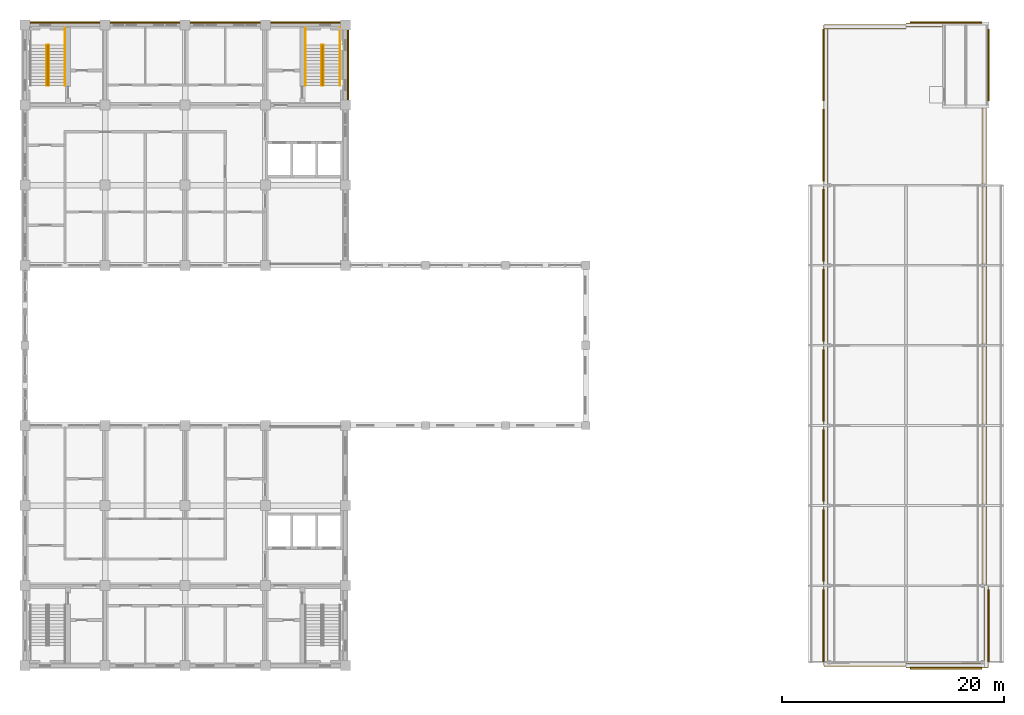
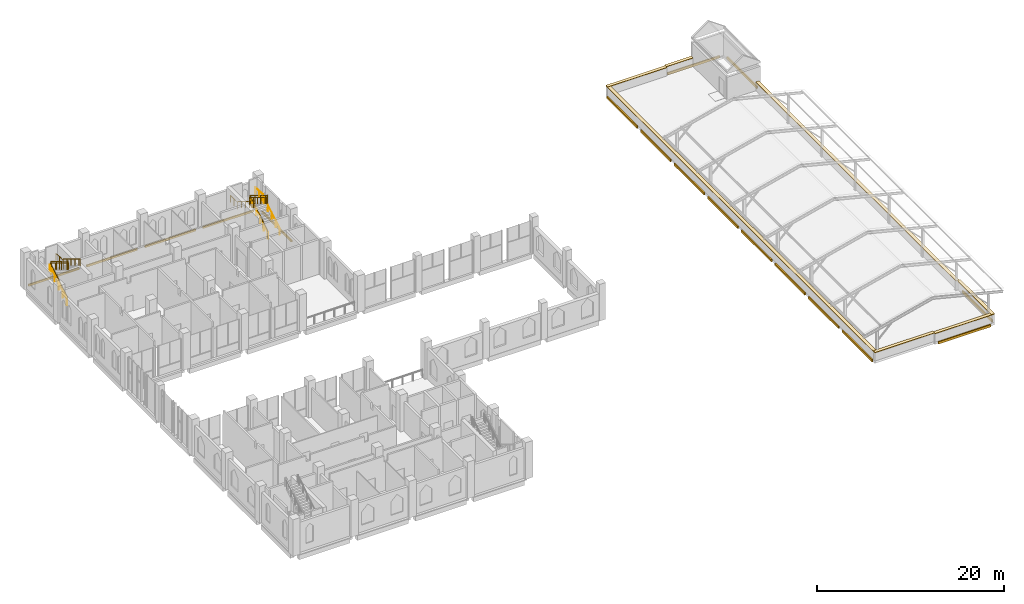
# One storey, part 30 of 30: 24 coverings, 9 railings.
"""IFC4 building model written with IfcOpenShell, lengths in metres."""

from ifc_helpers import new_model, si_unit, direction, frame, origin, origin_2d, place, context, subcontext, project, spatial, rectangle, circle, extrude, material, layer, layer_set, type_object, element, save


model = new_model("IFC4")

# Units and contexts
model_context = context("Model", 3, precision=1e-05, world=origin(), true_north=direction((0.0, 1.0)))
body_context = subcontext(model_context, "Body", "Model", "MODEL_VIEW")
ifc_project = project(units=[si_unit("LENGTHUNIT", "METRE"), si_unit("AREAUNIT", "SQUARE_METRE"), si_unit("VOLUMEUNIT", "CUBIC_METRE"), si_unit("PLANEANGLEUNIT", "RADIAN"), si_unit("MASSUNIT", "GRAM", prefix="KILO")], contexts=[model_context])

# Site, building, storey
site_placement = place(None, origin())
site = spatial("IfcSite", under=ifc_project, at=site_placement, CompositionType="ELEMENT")
building_placement = place(site_placement, origin())
building = spatial("IfcBuilding", under=site, at=building_placement, Name="Silangan Lancet Faculty of Sciences", CompositionType="ELEMENT")
storey_placement = place(building_placement, frame((0.0, 0.0, 31.199951171875)))
storey = spatial("IfcBuildingStorey", under=building, at=storey_placement, Name="L06", CompositionType="ELEMENT", Elevation=31.199951171875)

# Coverings
ifc_material_1 = material(Name="Concrete C35/45 precast", Category="concrete")
ifc_layer = layer(ifc_material_1, 0.06005859375)
ifc_layer_set = layer_set([ifc_layer], Name="Concrete C35/45 precast")
covering_type_1 = type_object("IfcCoveringType", Name="Parapet coping 400", PredefinedType="MOLDING", material=ifc_layer_set)
for number, where, z_axis, x_axis, name in (
    (1, (82.875, 0.0, 1.10009765625), (0.0, 0.0, 1.0), (1.0, 0.0, 0.0), "Parapet coping EB 1"),
    (2, (75.52490234375, 0.14990234375, 1.10009765625), (0.0, 0.0, 1.0), (1.0, 0.0, 0.0), "Parapet coping EB 2"),
):
    element("IfcCovering", number, at=place(storey_placement, frame(where, z_axis=z_axis, x_axis=x_axis)), inside=storey, type_object=covering_type_1, Name=name, PredefinedType="MOLDING", context=body_context, shape_type="SweptSolid", body=[
        extrude(rectangle(XDim=7.35009765625, YDim=0.39990234375, at=origin_2d()), origin(), (0.0, 0.0, 1.0), 0.06005859375),
    ])
covering_1_placement = place(storey_placement, frame((72.0, 28.800048828125, 1.10009765625), z_axis=(0.0, 0.0, 1.0), x_axis=(1.0, 0.0, 0.0)))
element("IfcCovering", 3, at=covering_1_placement, inside=storey, type_object=covering_type_1, Name="Parapet coping EB 3", PredefinedType="MOLDING", context=body_context, shape_type="SweptSolid", body=[
    extrude(rectangle(XDim=0.39990234375, YDim=57.60009765625, at=origin_2d()), origin(), (0.0, 0.0, 1.0), 0.06005859375),
])
covering_2_placement = place(storey_placement, frame((75.52490234375, 57.449951171875, 1.10009765625), z_axis=(0.0, 0.0, 1.0), x_axis=(1.0, 0.0, 0.0)))
element("IfcCovering", 4, at=covering_2_placement, inside=storey, type_object=covering_type_1, Name="Parapet coping EB 4", PredefinedType="MOLDING", context=body_context, shape_type="SweptSolid", body=[
    extrude(rectangle(XDim=7.35009765625, YDim=0.39990234375, at=origin_2d()), origin(), (0.0, 0.0, 1.0), 0.06005859375),
])
covering_3_placement = place(storey_placement, frame((80.85009765625, 57.60009765625, 1.10009765625), z_axis=(0.0, 0.0, 1.0), x_axis=(1.0, 0.0, 0.0)))
element("IfcCovering", 5, at=covering_3_placement, inside=storey, type_object=covering_type_1, Name="Parapet coping EB 5", PredefinedType="MOLDING", context=body_context, shape_type="SweptSolid", body=[
    extrude(rectangle(XDim=3.300048828125, YDim=0.39990234375, at=origin_2d()), origin(), (0.0, 0.0, 1.0), 0.06005859375),
])
covering_4_placement = place(storey_placement, frame((86.25, 28.675048828125, 1.10009765625), z_axis=(0.0, 0.0, 1.0), x_axis=(1.0, 0.0, 0.0)))
element("IfcCovering", 6, at=covering_4_placement, inside=storey, type_object=covering_type_1, Name="Parapet coping EB 6", PredefinedType="MOLDING", context=body_context, shape_type="SweptSolid", body=[
    extrude(rectangle(XDim=0.39990234375, YDim=42.949951171875, at=origin_2d()), origin(), (0.0, 0.0, 1.0), 0.06005859375),
])
covering_5_placement = place(storey_placement, frame((86.39990234375, 3.52490234375, 1.10009765625), z_axis=(0.0, 0.0, 1.0), x_axis=(1.0, 0.0, 0.0)))
element("IfcCovering", 7, at=covering_5_placement, inside=storey, type_object=covering_type_1, Name="Parapet coping EB 7", PredefinedType="MOLDING", context=body_context, shape_type="SweptSolid", body=[
    extrude(rectangle(XDim=0.39990234375, YDim=7.35009765625, at=origin_2d()), origin(), (0.0, 0.0, 1.0), 0.06005859375),
])
ifc_material_2 = material(Name="Concrete C40/50 precast", Category="concrete")
covering_type_2 = type_object("IfcCoveringType", Name="SC1 Precast string course 250 x 150", PredefinedType="CLADDING", material=ifc_material_2)
covering_6_placement = place(storey_placement, frame((29.02490234375, 54.0, -0.25), z_axis=(0.0, 0.0, 1.0), x_axis=(1.0, 0.0, 0.0)))
element("IfcCovering", 8, at=covering_6_placement, inside=storey, type_object=covering_type_2, Name="SC-L06-E-NT-02", PredefinedType="CLADDING", context=body_context, shape_type="SweptSolid", body=[
    extrude(rectangle(XDim=0.14990234375, YDim=6.300048828125, at=origin_2d()), origin(), (0.0, 0.0, 1.0), 0.25),
])
for number, where, z_axis, x_axis, name in (
    (9, (25.199951171875, 57.824951171875, -0.25), (0.0, 0.0, 1.0), (1.0, 0.0, 0.0), "SC-L06-N-NT-00"),
    (10, (18.0, 57.824951171875, -0.25), (0.0, 0.0, 1.0), (1.0, 0.0, 0.0), "SC-L06-N-NT-01"),
    (11, (10.800048828125, 57.824951171875, -0.25), (0.0, 0.0, 1.0), (1.0, 0.0, 0.0), "SC-L06-N-NT-02"),
    (12, (3.60009765625, 57.824951171875, -0.25), (0.0, 0.0, 1.0), (1.0, 0.0, 0.0), "SC-L06-N-NT-03"),
):
    element("IfcCovering", number, at=place(storey_placement, frame(where, z_axis=z_axis, x_axis=x_axis)), inside=storey, type_object=covering_type_2, Name=name, PredefinedType="CLADDING", context=body_context, shape_type="SweptSolid", body=[
        extrude(rectangle(XDim=6.300048828125, YDim=0.14990234375, at=origin_2d()), origin(), (0.0, 0.0, 1.0), 0.25),
    ])
ifc_material_3 = material(Name="Concrete C40/50 precast", Category="concrete")
covering_type_3 = type_object("IfcCoveringType", Name="SC2 Precast string course 300 x 150", PredefinedType="CLADDING", material=ifc_material_3)
for number, where, z_axis, x_axis, name in (
    (13, (86.625, 3.60009765625, -0.2998046875), (0.0, 0.0, 1.0), (1.0, 0.0, 0.0), "SC-ROOF-E-EB-00"),
    (14, (86.625, 54.0, -0.2998046875), (0.0, 0.0, 1.0), (1.0, 0.0, 0.0), "SC-ROOF-E-EB-07"),
):
    element("IfcCovering", number, at=place(storey_placement, frame(where, z_axis=z_axis, x_axis=x_axis)), inside=storey, type_object=covering_type_3, Name=name, PredefinedType="CLADDING", context=body_context, shape_type="SweptSolid", body=[
        extrude(rectangle(XDim=0.14990234375, YDim=6.449951171875, at=origin_2d()), origin(), (0.0, 0.0, 1.0), 0.300048828125),
    ])
for number, where, z_axis, x_axis, name in (
    (15, (82.800048828125, 57.824951171875, -0.2998046875), (0.0, 0.0, 1.0), (1.0, 0.0, 0.0), "SC-ROOF-N-EB-00"),
    (16, (82.800048828125, -0.22509765625, -0.2998046875), (0.0, 0.0, 1.0), (1.0, 0.0, 0.0), "SC-ROOF-S-EB-01"),
):
    element("IfcCovering", number, at=place(storey_placement, frame(where, z_axis=z_axis, x_axis=x_axis)), inside=storey, type_object=covering_type_3, Name=name, PredefinedType="CLADDING", context=body_context, shape_type="SweptSolid", body=[
        extrude(rectangle(XDim=6.449951171875, YDim=0.14990234375, at=origin_2d()), origin(), (0.0, 0.0, 1.0), 0.300048828125),
    ])
for number, where, z_axis, x_axis, name in (
    (17, (71.77490234375, 3.60009765625, -0.2998046875), (0.0, 0.0, 1.0), (1.0, 0.0, 0.0), "SC-ROOF-W-EB-00"),
    (18, (71.77490234375, 10.800048828125, -0.2998046875), (0.0, 0.0, 1.0), (1.0, 0.0, 0.0), "SC-ROOF-W-EB-01"),
    (19, (71.77490234375, 18.0, -0.2998046875), (0.0, 0.0, 1.0), (1.0, 0.0, 0.0), "SC-ROOF-W-EB-02"),
    (20, (71.77490234375, 25.199951171875, -0.2998046875), (0.0, 0.0, 1.0), (1.0, 0.0, 0.0), "SC-ROOF-W-EB-03"),
    (21, (71.77490234375, 32.39990234375, -0.2998046875), (0.0, 0.0, 1.0), (1.0, 0.0, 0.0), "SC-ROOF-W-EB-04"),
    (22, (71.77490234375, 39.60009765625, -0.2998046875), (0.0, 0.0, 1.0), (1.0, 0.0, 0.0), "SC-ROOF-W-EB-05"),
    (23, (71.77490234375, 46.800048828125, -0.2998046875), (0.0, 0.0, 1.0), (1.0, 0.0, 0.0), "SC-ROOF-W-EB-06"),
    (24, (71.77490234375, 54.0, -0.2998046875), (0.0, 0.0, 1.0), (1.0, 0.0, 0.0), "SC-ROOF-W-EB-07"),
):
    element("IfcCovering", number, at=place(storey_placement, frame(where, z_axis=z_axis, x_axis=x_axis)), inside=storey, type_object=covering_type_3, Name=name, PredefinedType="CLADDING", context=body_context, shape_type="SweptSolid", body=[
        extrude(rectangle(XDim=0.14990234375, YDim=6.449951171875, at=origin_2d()), origin(), (0.0, 0.0, 1.0), 0.300048828125),
    ])

# Railings
ifc_material_4 = material(Name="Steel balustrade", Category="steel")
railing_type_1 = type_object("IfcRailingType", Name="STAIR GUARD 1100", PredefinedType="GUARDRAIL", material=ifc_material_4)
railing_1_placement = place(storey_placement, frame((2.0, 52.14990234375, 0.17138671875)))
element("IfcRailing", 25, at=railing_1_placement, inside=storey, type_object=railing_type_1, Name="GUARD-NT-A-L06", PredefinedType="GUARDRAIL", context=body_context, shape_type="SweptSolid", body=[
    extrude(circle(Radius=0.02392578125, at=origin_2d()), frame((0.0, 0.0, 1.076171875), z_axis=(0.0, 0.852849614702, 0.52215661894), x_axis=(-1.0, 0.0, 0.0)), (0.0, 0.0, 1.0), 1.3134765625),
    extrude(circle(Radius=0.02392578125, at=origin_2d()), frame((0.0, 1.1201171875, 1.76171875), z_axis=(0.0, 0.852798921012, 0.522239409008), x_axis=(-1.0, 0.0, 0.0)), (0.0, 0.0, 1.0), 1.313232421875),
    extrude(circle(Radius=0.02392578125, at=origin_2d()), frame((0.0, 2.239990234375, 2.44775390625), z_axis=(0.0, 0.852849614702, 0.52215661894), x_axis=(-1.0, 0.0, 0.0)), (0.0, 0.0, 1.0), 1.3134765625),
    extrude(circle(Radius=0.02392578125, at=origin_2d()), frame((0.0, 3.360107421875, 3.13330078125), z_axis=(0.0, 0.852932391421, 0.522021393877), x_axis=(-1.0, 0.0, 0.0)), (0.0, 0.0, 1.0), 0.328369140625),
    extrude(circle(Radius=0.02392578125, at=origin_2d()), frame((0.0, 3.64013671875, 3.3046875), z_axis=(1.0, 0.0, 0.0), x_axis=(0.0, 1.0, 0.0)), (0.0, 0.0, 1.0), 0.10009765625),
    extrude(circle(Radius=0.02392578125, at=origin_2d()), frame((0.10009765625, 3.64013671875, 3.3046875), z_axis=(0.0, 0.0, 1.0), x_axis=(1.0, 0.0, 0.0)), (0.0, 0.0, 1.0), 0.17138671875),
    extrude(circle(Radius=0.02392578125, at=origin_2d()), frame((0.10009765625, 3.64013671875, 3.47607421875), z_axis=(0.0, -0.852932391421, 0.522021393877), x_axis=(1.0, 0.0, 0.0)), (0.0, 0.0, 1.0), 1.313232421875),
    extrude(circle(Radius=0.02392578125, at=origin_2d()), frame((0.10009765625, 2.52001953125, 4.16162109375), z_axis=(0.0, -0.852798921012, 0.522239409008), x_axis=(1.0, 0.0, 0.0)), (0.0, 0.0, 1.0), 1.313232421875),
    extrude(circle(Radius=0.02392578125, at=origin_2d()), frame((0.10009765625, 1.400146484375, 4.84765625), z_axis=(0.0, -0.852849614702, 0.52215661894), x_axis=(1.0, 0.0, 0.0)), (0.0, 0.0, 1.0), 1.3134765625),
    extrude(circle(Radius=0.02392578125, at=origin_2d()), frame((0.10009765625, 0.280029296875, 5.533203125), z_axis=(0.0, -0.852932391421, 0.522021393877), x_axis=(1.0, 0.0, 0.0)), (0.0, 0.0, 1.0), 0.328369140625),
    extrude(circle(Radius=0.02392578125, at=origin_2d()), frame((0.10009765625, 0.0, 5.70458984375), z_axis=(-1.0, 0.0, 0.0), x_axis=(0.0, -1.0, 0.0)), (0.0, 0.0, 1.0), 0.10009765625),
    extrude(circle(Radius=0.02099609375, at=origin_2d()), origin(), (0.0, 0.0, 1.0), 1.052001953125),
    extrude(circle(Radius=0.02099609375, at=origin_2d()), frame((0.0, 1.1201171875, 0.685791015625)), (0.0, 0.0, 1.0), 1.052001953125),
    extrude(circle(Radius=0.02099609375, at=origin_2d()), frame((0.0, 2.239990234375, 1.37158203125)), (0.0, 0.0, 1.0), 1.052001953125),
    extrude(circle(Radius=0.02099609375, at=origin_2d()), frame((0.0, 3.360107421875, 2.057373046875)), (0.0, 0.0, 1.0), 1.052001953125),
    extrude(circle(Radius=0.02099609375, at=origin_2d()), frame((0.0, 3.64013671875, 2.228759765625)), (0.0, 0.0, 1.0), 1.052001953125),
    extrude(circle(Radius=0.02099609375, at=origin_2d()), frame((0.10009765625, 3.64013671875, 2.228759765625)), (0.0, 0.0, 1.0), 1.052001953125),
    extrude(circle(Radius=0.02099609375, at=origin_2d()), frame((0.10009765625, 3.64013671875, 2.400146484375)), (0.0, 0.0, 1.0), 1.052001953125),
    extrude(circle(Radius=0.02099609375, at=origin_2d()), frame((0.10009765625, 2.52001953125, 3.085693359375)), (0.0, 0.0, 1.0), 1.052001953125),
    extrude(circle(Radius=0.02099609375, at=origin_2d()), frame((0.10009765625, 1.400146484375, 3.771484375)), (0.0, 0.0, 1.0), 1.052001953125),
    extrude(circle(Radius=0.02099609375, at=origin_2d()), frame((0.10009765625, 0.280029296875, 4.457275390625)), (0.0, 0.0, 1.0), 1.052001953125),
    extrude(circle(Radius=0.02099609375, at=origin_2d()), frame((0.10009765625, 0.0, 4.628662109375)), (0.0, 0.0, 1.0), 1.052001953125),
    extrude(circle(Radius=0.02099609375, at=origin_2d()), frame((0.0, 0.0, 4.628662109375)), (0.0, 0.0, 1.0), 1.052001953125),
])
railing_2_placement = place(storey_placement, frame((26.800048828125, 52.14990234375, 0.17138671875)))
element("IfcRailing", 26, at=railing_2_placement, inside=storey, type_object=railing_type_1, Name="GUARD-NT-B-L06", PredefinedType="GUARDRAIL", context=body_context, shape_type="SweptSolid", body=[
    extrude(circle(Radius=0.02392578125, at=origin_2d()), frame((0.0, 0.0, 1.076171875), z_axis=(0.0, 0.852849614702, 0.52215661894), x_axis=(-1.0, 0.0, 0.0)), (0.0, 0.0, 1.0), 1.3134765625),
    extrude(circle(Radius=0.02392578125, at=origin_2d()), frame((0.0, 1.1201171875, 1.76171875), z_axis=(0.0, 0.852798921012, 0.522239409008), x_axis=(-1.0, 0.0, 0.0)), (0.0, 0.0, 1.0), 1.313232421875),
    extrude(circle(Radius=0.02392578125, at=origin_2d()), frame((0.0, 2.239990234375, 2.44775390625), z_axis=(0.0, 0.852849614702, 0.52215661894), x_axis=(-1.0, 0.0, 0.0)), (0.0, 0.0, 1.0), 1.3134765625),
    extrude(circle(Radius=0.02392578125, at=origin_2d()), frame((0.0, 3.360107421875, 3.13330078125), z_axis=(0.0, 0.852932391421, 0.522021393877), x_axis=(-1.0, 0.0, 0.0)), (0.0, 0.0, 1.0), 0.328369140625),
    extrude(circle(Radius=0.02392578125, at=origin_2d()), frame((0.0, 3.64013671875, 3.3046875), z_axis=(-1.0, 0.0, 0.0), x_axis=(0.0, -1.0, 0.0)), (0.0, 0.0, 1.0), 0.10009765625),
    extrude(circle(Radius=0.02392578125, at=origin_2d()), frame((-0.10009765625, 3.64013671875, 3.3046875), z_axis=(0.0, 0.0, 1.0), x_axis=(1.0, 0.0, 0.0)), (0.0, 0.0, 1.0), 0.17138671875),
    extrude(circle(Radius=0.02392578125, at=origin_2d()), frame((-0.10009765625, 3.64013671875, 3.47607421875), z_axis=(0.0, -0.852932391421, 0.522021393877), x_axis=(1.0, 0.0, 0.0)), (0.0, 0.0, 1.0), 1.313232421875),
    extrude(circle(Radius=0.02392578125, at=origin_2d()), frame((-0.10009765625, 2.52001953125, 4.16162109375), z_axis=(0.0, -0.852798921012, 0.522239409008), x_axis=(1.0, 0.0, 0.0)), (0.0, 0.0, 1.0), 1.313232421875),
    extrude(circle(Radius=0.02392578125, at=origin_2d()), frame((-0.10009765625, 1.400146484375, 4.84765625), z_axis=(0.0, -0.852849614702, 0.52215661894), x_axis=(1.0, 0.0, 0.0)), (0.0, 0.0, 1.0), 1.3134765625),
    extrude(circle(Radius=0.02392578125, at=origin_2d()), frame((-0.10009765625, 0.280029296875, 5.533203125), z_axis=(0.0, -0.852932391421, 0.522021393877), x_axis=(1.0, 0.0, 0.0)), (0.0, 0.0, 1.0), 0.328369140625),
    extrude(circle(Radius=0.02392578125, at=origin_2d()), frame((-0.10009765625, 0.0, 5.70458984375), z_axis=(1.0, 0.0, 0.0), x_axis=(0.0, 1.0, 0.0)), (0.0, 0.0, 1.0), 0.10009765625),
    extrude(circle(Radius=0.02099609375, at=origin_2d()), origin(), (0.0, 0.0, 1.0), 1.052001953125),
    extrude(circle(Radius=0.02099609375, at=origin_2d()), frame((0.0, 1.1201171875, 0.685791015625)), (0.0, 0.0, 1.0), 1.052001953125),
    extrude(circle(Radius=0.02099609375, at=origin_2d()), frame((0.0, 2.239990234375, 1.37158203125)), (0.0, 0.0, 1.0), 1.052001953125),
    extrude(circle(Radius=0.02099609375, at=origin_2d()), frame((0.0, 3.360107421875, 2.057373046875)), (0.0, 0.0, 1.0), 1.052001953125),
    extrude(circle(Radius=0.02099609375, at=origin_2d()), frame((0.0, 3.64013671875, 2.228759765625)), (0.0, 0.0, 1.0), 1.052001953125),
    extrude(circle(Radius=0.02099609375, at=origin_2d()), frame((-0.10009765625, 3.64013671875, 2.228759765625)), (0.0, 0.0, 1.0), 1.052001953125),
    extrude(circle(Radius=0.02099609375, at=origin_2d()), frame((-0.10009765625, 3.64013671875, 2.400146484375)), (0.0, 0.0, 1.0), 1.052001953125),
    extrude(circle(Radius=0.02099609375, at=origin_2d()), frame((-0.10009765625, 2.52001953125, 3.085693359375)), (0.0, 0.0, 1.0), 1.052001953125),
    extrude(circle(Radius=0.02099609375, at=origin_2d()), frame((-0.10009765625, 1.400146484375, 3.771484375)), (0.0, 0.0, 1.0), 1.052001953125),
    extrude(circle(Radius=0.02099609375, at=origin_2d()), frame((-0.10009765625, 0.280029296875, 4.457275390625)), (0.0, 0.0, 1.0), 1.052001953125),
    extrude(circle(Radius=0.02099609375, at=origin_2d()), frame((-0.10009765625, 0.0, 4.628662109375)), (0.0, 0.0, 1.0), 1.052001953125),
    extrude(circle(Radius=0.02099609375, at=origin_2d()), frame((0.0, 0.0, 4.628662109375)), (0.0, 0.0, 1.0), 1.052001953125),
])
ifc_material_5 = material(Name="Stainless steel", Category="steel")
railing_type_2 = type_object("IfcRailingType", Name="STAIR HANDRAIL 865", PredefinedType="HANDRAIL", material=ifc_material_5)
railing_3_placement = place(storey_placement, frame((1.949951171875, 52.14990234375, 0.17138671875)))
element("IfcRailing", 27, at=railing_3_placement, inside=storey, type_object=railing_type_2, Name="HANDRAIL-NT-A-L06-I1", PredefinedType="HANDRAIL", context=body_context, shape_type="SweptSolid", body=[
    extrude(circle(Radius=0.02392578125, at=origin_2d()), frame((0.0, 0.0, 0.8408203125), z_axis=(0.0, 0.852822021269, 0.522201685212), x_axis=(-1.0, 0.0, 0.0)), (0.0, 0.0, 1.0), 0.985107421875),
    extrude(circle(Radius=0.02392578125, at=origin_2d()), frame((0.0, 0.840087890625, 1.35546875), z_axis=(0.0, 0.852932391421, 0.522021393877), x_axis=(-1.0, 0.0, 0.0)), (0.0, 0.0, 1.0), 0.98486328125),
    extrude(circle(Radius=0.02392578125, at=origin_2d()), frame((0.0, 1.68017578125, 1.86962890625), z_axis=(0.0, 0.852754414843, 0.522312079092), x_axis=(-1.0, 0.0, 0.0)), (0.0, 0.0, 1.0), 0.98486328125),
    extrude(circle(Radius=0.02392578125, at=origin_2d()), frame((0.0, 2.52001953125, 2.3837890625), z_axis=(0.0, 0.852822021269, 0.522201685212), x_axis=(-1.0, 0.0, 0.0)), (0.0, 0.0, 1.0), 0.985107421875),
    extrude(circle(Radius=0.02392578125, at=origin_2d()), frame((0.0, 3.360107421875, 2.8984375), z_axis=(0.0, 0.852932391421, 0.522021393877), x_axis=(-1.0, 0.0, 0.0)), (0.0, 0.0, 1.0), 0.328369140625),
    extrude(circle(Radius=0.02099609375, at=origin_2d()), origin(), (0.0, 0.0, 1.0), 0.81689453125),
    extrude(circle(Radius=0.02099609375, at=origin_2d()), frame((0.0, 0.840087890625, 0.514404296875)), (0.0, 0.0, 1.0), 0.81689453125),
    extrude(circle(Radius=0.02099609375, at=origin_2d()), frame((0.0, 1.68017578125, 1.028564453125)), (0.0, 0.0, 1.0), 0.81689453125),
    extrude(circle(Radius=0.02099609375, at=origin_2d()), frame((0.0, 2.52001953125, 1.54296875)), (0.0, 0.0, 1.0), 0.81689453125),
    extrude(circle(Radius=0.02099609375, at=origin_2d()), frame((0.0, 3.360107421875, 2.057373046875)), (0.0, 0.0, 1.0), 0.81689453125),
    extrude(circle(Radius=0.02099609375, at=origin_2d()), frame((0.0, 3.64013671875, 2.228759765625)), (0.0, 0.0, 1.0), 0.81689453125),
])
railing_4_placement = place(storey_placement, frame((3.60009765625, 57.324951171875, 2.400146484375)))
element("IfcRailing", 28, at=railing_4_placement, inside=storey, type_object=railing_type_2, Name="HANDRAIL-NT-A-L06-O2", PredefinedType="HANDRAIL", context=body_context, shape_type="SweptSolid", body=[
    extrude(circle(Radius=0.02392578125, at=origin_2d()), frame((0.0, 0.0, 0.8408203125), z_axis=(0.0, -1.0, 0.0), x_axis=(1.0, 0.0, 0.0)), (0.0, 0.0, 1.0), 1.534912109375),
    extrude(circle(Radius=0.02392578125, at=origin_2d()), frame((0.0, -1.534912109375, 0.8408203125), z_axis=(0.0, 0.0, 1.0), x_axis=(1.0, 0.0, 0.0)), (0.0, 0.0, 1.0), 0.17138671875),
    extrude(circle(Radius=0.02392578125, at=origin_2d()), frame((0.0, -1.534912109375, 1.01220703125), z_axis=(0.0, -0.852932391421, 0.522021393877), x_axis=(1.0, 0.0, 0.0)), (0.0, 0.0, 1.0), 0.98486328125),
    extrude(circle(Radius=0.02392578125, at=origin_2d()), frame((0.0, -2.375, 1.5263671875), z_axis=(0.0, -0.852754414843, 0.522312079092), x_axis=(1.0, 0.0, 0.0)), (0.0, 0.0, 1.0), 0.98486328125),
    extrude(circle(Radius=0.02392578125, at=origin_2d()), frame((0.0, -3.21484375, 2.041015625), z_axis=(0.0, -0.852932391421, 0.522021393877), x_axis=(1.0, 0.0, 0.0)), (0.0, 0.0, 1.0), 0.98486328125),
    extrude(circle(Radius=0.02392578125, at=origin_2d()), frame((0.0, -4.054931640625, 2.55517578125), z_axis=(0.0, -0.852822021269, 0.522201685212), x_axis=(1.0, 0.0, 0.0)), (0.0, 0.0, 1.0), 0.985107421875),
    extrude(circle(Radius=0.02392578125, at=origin_2d()), frame((0.0, -4.89501953125, 3.0693359375), z_axis=(0.0, -0.852932391421, 0.522021393877), x_axis=(1.0, 0.0, 0.0)), (0.0, 0.0, 1.0), 0.328369140625),
    extrude(circle(Radius=0.02099609375, at=origin_2d()), origin(), (0.0, 0.0, 1.0), 0.81689453125),
    extrude(circle(Radius=0.02099609375, at=origin_2d()), frame((0.0, -0.767578125, 0.0)), (0.0, 0.0, 1.0), 0.81689453125),
    extrude(circle(Radius=0.02099609375, at=origin_2d()), frame((0.0, -1.534912109375, 0.0)), (0.0, 0.0, 1.0), 0.81689453125),
    extrude(circle(Radius=0.02099609375, at=origin_2d()), frame((0.0, -1.534912109375, 0.17138671875)), (0.0, 0.0, 1.0), 0.81689453125),
    extrude(circle(Radius=0.02099609375, at=origin_2d()), frame((0.0, -2.375, 0.685546875)), (0.0, 0.0, 1.0), 0.81689453125),
    extrude(circle(Radius=0.02099609375, at=origin_2d()), frame((0.0, -3.21484375, 1.199951171875)), (0.0, 0.0, 1.0), 0.81689453125),
    extrude(circle(Radius=0.02099609375, at=origin_2d()), frame((0.0, -4.054931640625, 1.714111328125)), (0.0, 0.0, 1.0), 0.81689453125),
    extrude(circle(Radius=0.02099609375, at=origin_2d()), frame((0.0, -4.89501953125, 2.228515625)), (0.0, 0.0, 1.0), 0.81689453125),
    extrude(circle(Radius=0.02099609375, at=origin_2d()), frame((0.0, -5.175048828125, 2.39990234375)), (0.0, 0.0, 1.0), 0.81689453125),
])
railing_5_placement = place(storey_placement, frame((2.14990234375, 55.7900390625, 2.571533203125)))
element("IfcRailing", 29, at=railing_5_placement, inside=storey, type_object=railing_type_2, Name="HANDRAIL-NT-A-L06-I2", PredefinedType="HANDRAIL", context=body_context, shape_type="SweptSolid", body=[
    extrude(circle(Radius=0.02392578125, at=origin_2d()), frame((0.0, 0.0, 0.8408203125), z_axis=(0.0, -0.852932391421, 0.522021393877), x_axis=(1.0, 0.0, 0.0)), (0.0, 0.0, 1.0), 0.98486328125),
    extrude(circle(Radius=0.02392578125, at=origin_2d()), frame((0.0, -0.840087890625, 1.35498046875), z_axis=(0.0, -0.852754414843, 0.522312079092), x_axis=(1.0, 0.0, 0.0)), (0.0, 0.0, 1.0), 0.98486328125),
    extrude(circle(Radius=0.02392578125, at=origin_2d()), frame((0.0, -1.679931640625, 1.86962890625), z_axis=(0.0, -0.852932391421, 0.522021393877), x_axis=(1.0, 0.0, 0.0)), (0.0, 0.0, 1.0), 0.98486328125),
    extrude(circle(Radius=0.02392578125, at=origin_2d()), frame((0.0, -2.52001953125, 2.3837890625), z_axis=(0.0, -0.852822021269, 0.522201685212), x_axis=(1.0, 0.0, 0.0)), (0.0, 0.0, 1.0), 0.985107421875),
    extrude(circle(Radius=0.02392578125, at=origin_2d()), frame((0.0, -3.360107421875, 2.89794921875), z_axis=(0.0, -0.852932391421, 0.522021393877), x_axis=(1.0, 0.0, 0.0)), (0.0, 0.0, 1.0), 0.328369140625),
    extrude(circle(Radius=0.02099609375, at=origin_2d()), origin(), (0.0, 0.0, 1.0), 0.81689453125),
    extrude(circle(Radius=0.02099609375, at=origin_2d()), frame((0.0, -0.840087890625, 0.51416015625)), (0.0, 0.0, 1.0), 0.81689453125),
    extrude(circle(Radius=0.02099609375, at=origin_2d()), frame((0.0, -1.679931640625, 1.028564453125)), (0.0, 0.0, 1.0), 0.81689453125),
    extrude(circle(Radius=0.02099609375, at=origin_2d()), frame((0.0, -2.52001953125, 1.542724609375)), (0.0, 0.0, 1.0), 0.81689453125),
    extrude(circle(Radius=0.02099609375, at=origin_2d()), frame((0.0, -3.360107421875, 2.05712890625)), (0.0, 0.0, 1.0), 0.81689453125),
    extrude(circle(Radius=0.02099609375, at=origin_2d()), frame((0.0, -3.64013671875, 2.228515625)), (0.0, 0.0, 1.0), 0.81689453125),
])
railing_6_placement = place(storey_placement, frame((28.300048828125, 52.14990234375, 0.17138671875)))
element("IfcRailing", 30, at=railing_6_placement, inside=storey, type_object=railing_type_2, Name="HANDRAIL-NT-B-L06-O1", PredefinedType="HANDRAIL", context=body_context, shape_type="SweptSolid", body=[
    extrude(circle(Radius=0.02392578125, at=origin_2d()), frame((0.0, 0.0, 0.8408203125), z_axis=(0.0, 0.852822021269, 0.522201685212), x_axis=(-1.0, 0.0, 0.0)), (0.0, 0.0, 1.0), 0.985107421875),
    extrude(circle(Radius=0.02392578125, at=origin_2d()), frame((0.0, 0.840087890625, 1.35546875), z_axis=(0.0, 0.852932391421, 0.522021393877), x_axis=(-1.0, 0.0, 0.0)), (0.0, 0.0, 1.0), 0.98486328125),
    extrude(circle(Radius=0.02392578125, at=origin_2d()), frame((0.0, 1.68017578125, 1.86962890625), z_axis=(0.0, 0.852754414843, 0.522312079092), x_axis=(-1.0, 0.0, 0.0)), (0.0, 0.0, 1.0), 0.98486328125),
    extrude(circle(Radius=0.02392578125, at=origin_2d()), frame((0.0, 2.52001953125, 2.3837890625), z_axis=(0.0, 0.852822021269, 0.522201685212), x_axis=(-1.0, 0.0, 0.0)), (0.0, 0.0, 1.0), 0.985107421875),
    extrude(circle(Radius=0.02392578125, at=origin_2d()), frame((0.0, 3.360107421875, 2.8984375), z_axis=(0.0, 0.852932391421, 0.522021393877), x_axis=(-1.0, 0.0, 0.0)), (0.0, 0.0, 1.0), 0.328369140625),
    extrude(circle(Radius=0.02392578125, at=origin_2d()), frame((0.0, 3.64013671875, 3.06982421875), z_axis=(0.0, 1.0, 0.0), x_axis=(-1.0, 0.0, 0.0)), (0.0, 0.0, 1.0), 1.534912109375),
    extrude(circle(Radius=0.02099609375, at=origin_2d()), origin(), (0.0, 0.0, 1.0), 0.81689453125),
    extrude(circle(Radius=0.02099609375, at=origin_2d()), frame((0.0, 0.840087890625, 0.514404296875)), (0.0, 0.0, 1.0), 0.81689453125),
    extrude(circle(Radius=0.02099609375, at=origin_2d()), frame((0.0, 1.68017578125, 1.028564453125)), (0.0, 0.0, 1.0), 0.81689453125),
    extrude(circle(Radius=0.02099609375, at=origin_2d()), frame((0.0, 2.52001953125, 1.54296875)), (0.0, 0.0, 1.0), 0.81689453125),
    extrude(circle(Radius=0.02099609375, at=origin_2d()), frame((0.0, 3.360107421875, 2.057373046875)), (0.0, 0.0, 1.0), 0.81689453125),
    extrude(circle(Radius=0.02099609375, at=origin_2d()), frame((0.0, 3.64013671875, 2.228759765625)), (0.0, 0.0, 1.0), 0.81689453125),
    extrude(circle(Radius=0.02099609375, at=origin_2d()), frame((0.0, 4.40771484375, 2.228759765625)), (0.0, 0.0, 1.0), 0.81689453125),
    extrude(circle(Radius=0.02099609375, at=origin_2d()), frame((0.0, 5.175048828125, 2.228759765625)), (0.0, 0.0, 1.0), 0.81689453125),
])
railing_7_placement = place(storey_placement, frame((26.85009765625, 52.14990234375, 0.17138671875)))
element("IfcRailing", 31, at=railing_7_placement, inside=storey, type_object=railing_type_2, Name="HANDRAIL-NT-B-L06-I1", PredefinedType="HANDRAIL", context=body_context, shape_type="SweptSolid", body=[
    extrude(circle(Radius=0.02392578125, at=origin_2d()), frame((0.0, 0.0, 0.8408203125), z_axis=(0.0, 0.852822021269, 0.522201685212), x_axis=(-1.0, 0.0, 0.0)), (0.0, 0.0, 1.0), 0.985107421875),
    extrude(circle(Radius=0.02392578125, at=origin_2d()), frame((0.0, 0.840087890625, 1.35546875), z_axis=(0.0, 0.852932391421, 0.522021393877), x_axis=(-1.0, 0.0, 0.0)), (0.0, 0.0, 1.0), 0.98486328125),
    extrude(circle(Radius=0.02392578125, at=origin_2d()), frame((0.0, 1.68017578125, 1.86962890625), z_axis=(0.0, 0.852754414843, 0.522312079092), x_axis=(-1.0, 0.0, 0.0)), (0.0, 0.0, 1.0), 0.98486328125),
    extrude(circle(Radius=0.02392578125, at=origin_2d()), frame((0.0, 2.52001953125, 2.3837890625), z_axis=(0.0, 0.852822021269, 0.522201685212), x_axis=(-1.0, 0.0, 0.0)), (0.0, 0.0, 1.0), 0.985107421875),
    extrude(circle(Radius=0.02392578125, at=origin_2d()), frame((0.0, 3.360107421875, 2.8984375), z_axis=(0.0, 0.852932391421, 0.522021393877), x_axis=(-1.0, 0.0, 0.0)), (0.0, 0.0, 1.0), 0.328369140625),
    extrude(circle(Radius=0.02099609375, at=origin_2d()), origin(), (0.0, 0.0, 1.0), 0.81689453125),
    extrude(circle(Radius=0.02099609375, at=origin_2d()), frame((0.0, 0.840087890625, 0.514404296875)), (0.0, 0.0, 1.0), 0.81689453125),
    extrude(circle(Radius=0.02099609375, at=origin_2d()), frame((0.0, 1.68017578125, 1.028564453125)), (0.0, 0.0, 1.0), 0.81689453125),
    extrude(circle(Radius=0.02099609375, at=origin_2d()), frame((0.0, 2.52001953125, 1.54296875)), (0.0, 0.0, 1.0), 0.81689453125),
    extrude(circle(Radius=0.02099609375, at=origin_2d()), frame((0.0, 3.360107421875, 2.057373046875)), (0.0, 0.0, 1.0), 0.81689453125),
    extrude(circle(Radius=0.02099609375, at=origin_2d()), frame((0.0, 3.64013671875, 2.228759765625)), (0.0, 0.0, 1.0), 0.81689453125),
])
railing_8_placement = place(storey_placement, frame((25.199951171875, 57.324951171875, 2.400146484375)))
element("IfcRailing", 32, at=railing_8_placement, inside=storey, type_object=railing_type_2, Name="HANDRAIL-NT-B-L06-O2", PredefinedType="HANDRAIL", context=body_context, shape_type="SweptSolid", body=[
    extrude(circle(Radius=0.02392578125, at=origin_2d()), frame((0.0, 0.0, 0.8408203125), z_axis=(0.0, -1.0, 0.0), x_axis=(1.0, 0.0, 0.0)), (0.0, 0.0, 1.0), 1.534912109375),
    extrude(circle(Radius=0.02392578125, at=origin_2d()), frame((0.0, -1.534912109375, 0.8408203125), z_axis=(0.0, 0.0, 1.0), x_axis=(1.0, 0.0, 0.0)), (0.0, 0.0, 1.0), 0.17138671875),
    extrude(circle(Radius=0.02392578125, at=origin_2d()), frame((0.0, -1.534912109375, 1.01220703125), z_axis=(0.0, -0.852932391421, 0.522021393877), x_axis=(1.0, 0.0, 0.0)), (0.0, 0.0, 1.0), 0.98486328125),
    extrude(circle(Radius=0.02392578125, at=origin_2d()), frame((0.0, -2.375, 1.5263671875), z_axis=(0.0, -0.852754414843, 0.522312079092), x_axis=(1.0, 0.0, 0.0)), (0.0, 0.0, 1.0), 0.98486328125),
    extrude(circle(Radius=0.02392578125, at=origin_2d()), frame((0.0, -3.21484375, 2.041015625), z_axis=(0.0, -0.852932391421, 0.522021393877), x_axis=(1.0, 0.0, 0.0)), (0.0, 0.0, 1.0), 0.98486328125),
    extrude(circle(Radius=0.02392578125, at=origin_2d()), frame((0.0, -4.054931640625, 2.55517578125), z_axis=(0.0, -0.852822021269, 0.522201685212), x_axis=(1.0, 0.0, 0.0)), (0.0, 0.0, 1.0), 0.985107421875),
    extrude(circle(Radius=0.02392578125, at=origin_2d()), frame((0.0, -4.89501953125, 3.0693359375), z_axis=(0.0, -0.852932391421, 0.522021393877), x_axis=(1.0, 0.0, 0.0)), (0.0, 0.0, 1.0), 0.328369140625),
    extrude(circle(Radius=0.02099609375, at=origin_2d()), origin(), (0.0, 0.0, 1.0), 0.81689453125),
    extrude(circle(Radius=0.02099609375, at=origin_2d()), frame((0.0, -0.767578125, 0.0)), (0.0, 0.0, 1.0), 0.81689453125),
    extrude(circle(Radius=0.02099609375, at=origin_2d()), frame((0.0, -1.534912109375, 0.0)), (0.0, 0.0, 1.0), 0.81689453125),
    extrude(circle(Radius=0.02099609375, at=origin_2d()), frame((0.0, -1.534912109375, 0.17138671875)), (0.0, 0.0, 1.0), 0.81689453125),
    extrude(circle(Radius=0.02099609375, at=origin_2d()), frame((0.0, -2.375, 0.685546875)), (0.0, 0.0, 1.0), 0.81689453125),
    extrude(circle(Radius=0.02099609375, at=origin_2d()), frame((0.0, -3.21484375, 1.199951171875)), (0.0, 0.0, 1.0), 0.81689453125),
    extrude(circle(Radius=0.02099609375, at=origin_2d()), frame((0.0, -4.054931640625, 1.714111328125)), (0.0, 0.0, 1.0), 0.81689453125),
    extrude(circle(Radius=0.02099609375, at=origin_2d()), frame((0.0, -4.89501953125, 2.228515625)), (0.0, 0.0, 1.0), 0.81689453125),
    extrude(circle(Radius=0.02099609375, at=origin_2d()), frame((0.0, -5.175048828125, 2.39990234375)), (0.0, 0.0, 1.0), 0.81689453125),
])
railing_9_placement = place(storey_placement, frame((26.64990234375, 55.7900390625, 2.571533203125)))
element("IfcRailing", 33, at=railing_9_placement, inside=storey, type_object=railing_type_2, Name="HANDRAIL-NT-B-L06-I2", PredefinedType="HANDRAIL", context=body_context, shape_type="SweptSolid", body=[
    extrude(circle(Radius=0.02392578125, at=origin_2d()), frame((0.0, 0.0, 0.8408203125), z_axis=(0.0, -0.852932391421, 0.522021393877), x_axis=(1.0, 0.0, 0.0)), (0.0, 0.0, 1.0), 0.98486328125),
    extrude(circle(Radius=0.02392578125, at=origin_2d()), frame((0.0, -0.840087890625, 1.35498046875), z_axis=(0.0, -0.852754414843, 0.522312079092), x_axis=(1.0, 0.0, 0.0)), (0.0, 0.0, 1.0), 0.98486328125),
    extrude(circle(Radius=0.02392578125, at=origin_2d()), frame((0.0, -1.679931640625, 1.86962890625), z_axis=(0.0, -0.852932391421, 0.522021393877), x_axis=(1.0, 0.0, 0.0)), (0.0, 0.0, 1.0), 0.98486328125),
    extrude(circle(Radius=0.02392578125, at=origin_2d()), frame((0.0, -2.52001953125, 2.3837890625), z_axis=(0.0, -0.852822021269, 0.522201685212), x_axis=(1.0, 0.0, 0.0)), (0.0, 0.0, 1.0), 0.985107421875),
    extrude(circle(Radius=0.02392578125, at=origin_2d()), frame((0.0, -3.360107421875, 2.89794921875), z_axis=(0.0, -0.852932391421, 0.522021393877), x_axis=(1.0, 0.0, 0.0)), (0.0, 0.0, 1.0), 0.328369140625),
    extrude(circle(Radius=0.02099609375, at=origin_2d()), origin(), (0.0, 0.0, 1.0), 0.81689453125),
    extrude(circle(Radius=0.02099609375, at=origin_2d()), frame((0.0, -0.840087890625, 0.51416015625)), (0.0, 0.0, 1.0), 0.81689453125),
    extrude(circle(Radius=0.02099609375, at=origin_2d()), frame((0.0, -1.679931640625, 1.028564453125)), (0.0, 0.0, 1.0), 0.81689453125),
    extrude(circle(Radius=0.02099609375, at=origin_2d()), frame((0.0, -2.52001953125, 1.542724609375)), (0.0, 0.0, 1.0), 0.81689453125),
    extrude(circle(Radius=0.02099609375, at=origin_2d()), frame((0.0, -3.360107421875, 2.05712890625)), (0.0, 0.0, 1.0), 0.81689453125),
    extrude(circle(Radius=0.02099609375, at=origin_2d()), frame((0.0, -3.64013671875, 2.228515625)), (0.0, 0.0, 1.0), 0.81689453125),
])

save(model, "model.ifc")
